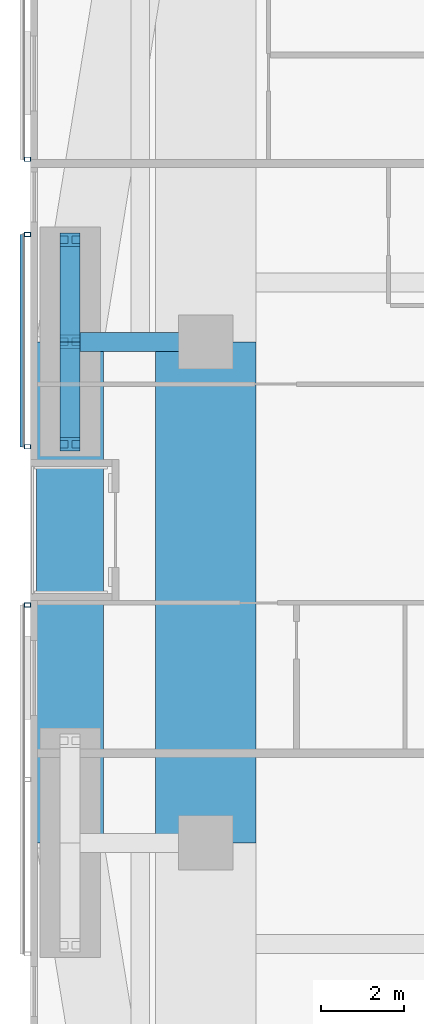
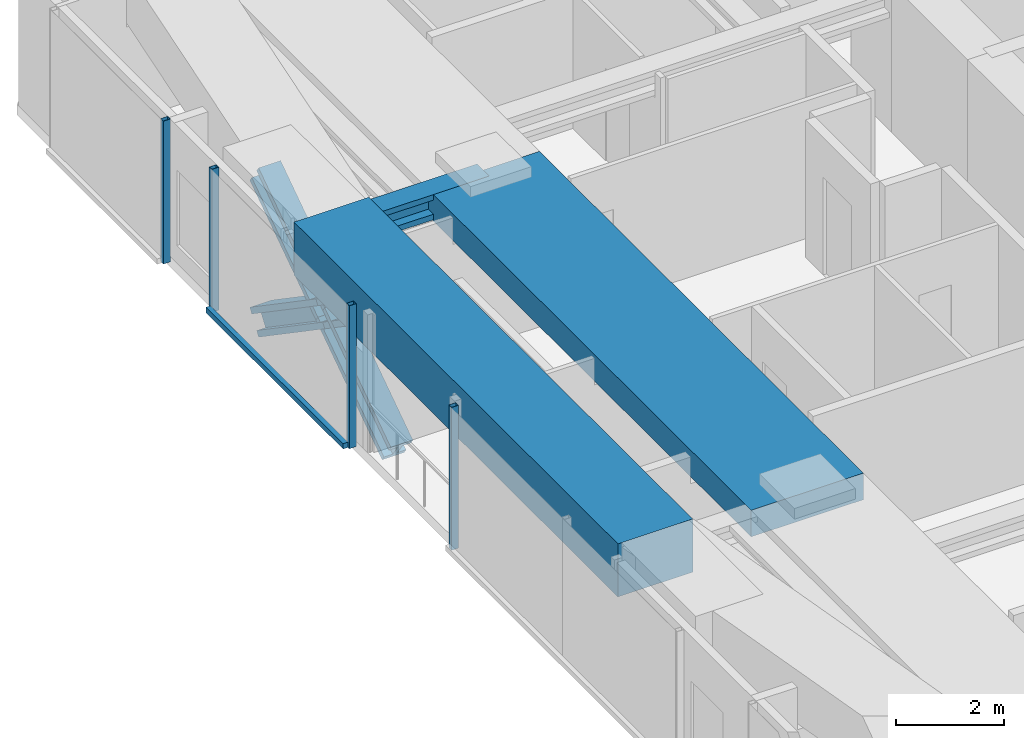
# One storey, part 6 of 24: 9 members, 3 beams, 3 elements without a shape of their own.
"""IFC4 building model written with IfcOpenShell, lengths in metres."""

import ifcopenshell
import ifcopenshell.guid

model = None  # the IFC model being written
_history = None  # IfcOwnerHistory: only IFC2X3 demands one
_inside = {}  # id of a spatial element -> (the spatial element, [elements in it])
_under = {}  # id of a project, library or spatial element -> (it, [spatial elements below it])
_declared = {}  # id of a project -> (the project, [libraries it declares])
_typed = {}  # id of a type object -> (the type object, [elements of that type])
_made_of = {}  # id of a material, layer set ... -> (it, [elements and type objects made of it])


def new_model(schema):
    """Start an empty IFC model of exactly this schema.

    Asked for "IFC4X3", IfcOpenShell would pick the latest addendum, in which some entities
    have other attributes; the version numbers below select the first issue.
    IFC2X3 requires an IfcOwnerHistory on every rooted entity: one is made here for all.
    """
    global model, _history
    if schema == "IFC4X3":
        model = ifcopenshell.file(schema_version=(4, 3, 0, 0))
    else:
        model = ifcopenshell.file(schema=schema)
    _inside.clear()
    _under.clear()
    _declared.clear()
    _typed.clear()
    _made_of.clear()
    _history = None
    if model.schema == "IFC2X3":
        org = make("IfcOrganization", Name="unknown")
        user = make(
            "IfcPersonAndOrganization",
            ThePerson=make("IfcPerson", FamilyName="unknown"),
            TheOrganization=org,
        )
        app = make(
            "IfcApplication",
            ApplicationDeveloper=org,
            Version="unknown",
            ApplicationFullName="unknown",
            ApplicationIdentifier="unknown",
        )
        _history = make(
            "IfcOwnerHistory",
            OwningUser=user,
            OwningApplication=app,
            ChangeAction="ADDED",
            CreationDate=0,
        )
    return model


def make(cls, **values):
    """One entity of the class cls with the attributes given. An attribute that is None is left unset."""
    return model.create_entity(
        cls, **{name: value for name, value in values.items() if value is not None}
    )


def rooted(cls, **values):
    """An entity with a GlobalId (a new one), such as an element, a storey or a relation."""
    return make(cls, GlobalId=ifcopenshell.guid.new(), OwnerHistory=_history, **values)


def si_unit(unit_type, name, prefix=None):
    """IfcSIUnit, for example si_unit("LENGTHUNIT", "METRE", prefix="MILLI")."""
    return make("IfcSIUnit", UnitType=unit_type, Prefix=prefix, Name=name)


def assignment(units):
    """IfcUnitAssignment: the units of a project."""
    return None if units is None else make("IfcUnitAssignment", Units=units)


def point(xyz):
    """IfcCartesianPoint."""
    return None if xyz is None else make("IfcCartesianPoint", Coordinates=xyz)


def direction(xyz):
    """IfcDirection."""
    return None if xyz is None else make("IfcDirection", DirectionRatios=xyz)


def frame(location, z_axis=None, x_axis=None):
    """IfcAxis2Placement3D, a coordinate frame: its origin and axes. An axis left out is left unset."""
    return make(
        "IfcAxis2Placement3D",
        Location=point(location),
        Axis=direction(z_axis),
        RefDirection=direction(x_axis),
    )


def frame_2d(location, x_axis=None):
    """IfcAxis2Placement2D, a coordinate frame in the plane: its origin and x axis."""
    return make(
        "IfcAxis2Placement2D", Location=point(location), RefDirection=direction(x_axis)
    )


def origin():
    """The frame at (0, 0, 0) with its axes left unset."""
    return frame((0.0, 0.0, 0.0))


def origin_2d():
    """The frame at (0, 0) in the plane with its x axis left unset."""
    return frame_2d((0.0, 0.0))


def place(relative_to, where):
    """IfcLocalPlacement: puts the frame where relative to a parent placement (None: the world)."""
    return make(
        "IfcLocalPlacement", PlacementRelTo=relative_to, RelativePlacement=where
    )


def context(
    kind, dimensions, precision=None, world=None, true_north=None, identifier=None
):
    """IfcGeometricRepresentationContext, for example the 3D "Model" context."""
    return make(
        "IfcGeometricRepresentationContext",
        ContextIdentifier=identifier,
        ContextType=kind,
        CoordinateSpaceDimension=dimensions,
        Precision=precision,
        WorldCoordinateSystem=world,
        TrueNorth=true_north,
    )


def subcontext(parent, identifier, kind, view, scale=None):
    """IfcGeometricRepresentationSubContext, for example "Body" below "Model"."""
    return make(
        "IfcGeometricRepresentationSubContext",
        ContextIdentifier=identifier,
        ContextType=kind,
        ParentContext=parent,
        TargetScale=scale,
        TargetView=view,
    )


def project(units=None, contexts=None):
    """IfcProject with its units and contexts."""
    return rooted(
        "IfcProject",
        Name="project",
        RepresentationContexts=contexts,
        UnitsInContext=assignment(units),
    )


def spatial(cls, under=None, at=None, **own):
    """A site, building, storey or space (cls), placed at a placement, below another one or the project."""
    s = rooted(cls, ObjectPlacement=at, **own)
    if under is not None:
        _under.setdefault(under.id(), (under, []))[1].append(s)
    return s


def profile(cls, at=None, kind="AREA", **sizes):
    """A parametric profile (cls). Its sizes go by their IFC names, for example OverallWidth=200.0."""
    return make(cls, ProfileType=kind, Position=at, **sizes)


def rectangle(**sizes):
    """IfcRectangleProfileDef."""
    return profile("IfcRectangleProfileDef", **sizes)


def hollow_rectangle(**sizes):
    """IfcRectangleHollowProfileDef."""
    return profile("IfcRectangleHollowProfileDef", **sizes)


def i_section(**sizes):
    """IfcIShapeProfileDef."""
    return profile("IfcIShapeProfileDef", **sizes)


def extrude(swept, where, along, depth):
    """IfcExtrudedAreaSolid: the profile swept, set in the frame where, extruded along a direction by depth."""
    return make(
        "IfcExtrudedAreaSolid",
        SweptArea=swept,
        Position=where,
        ExtrudedDirection=direction(along),
        Depth=depth,
    )


def shape(context_of_items, identifier, shape_type, items):
    """IfcShapeRepresentation: the items that make up one representation, for example the "Body"."""
    return make(
        "IfcShapeRepresentation",
        ContextOfItems=context_of_items,
        RepresentationIdentifier=identifier,
        RepresentationType=shape_type,
        Items=items,
    )


def material(Name=None, Category=None):
    """IfcMaterial."""
    return make("IfcMaterial", Name=Name, Category=Category)


def material_profile(
    of_material, cross_section, Name=None, Category=None, Priority=None
):
    """IfcMaterialProfile: a cross section and its material."""
    return make(
        "IfcMaterialProfile",
        Name=Name,
        Material=of_material,
        Profile=cross_section,
        Priority=Priority,
        Category=Category,
    )


def profile_set(profiles, Name=None, composite=None):
    """IfcMaterialProfileSet."""
    return make(
        "IfcMaterialProfileSet",
        Name=Name,
        MaterialProfiles=profiles,
        CompositeProfile=composite,
    )


def made_of(thing, what):
    """Note that an element or type object is made of a material, layer set ...; save() writes the relation."""
    if what is not None:
        _made_of.setdefault(what.id(), (what, []))[1].append(thing)
    return thing


def type_object(cls, material=None, **own):
    """A type object (cls), such as IfcWallType, which elements share."""
    return made_of(rooted(cls, **own), material)


def element(
    cls,
    number,
    at=None,
    inside=None,
    cuts=None,
    type_object=None,
    material=None,
    context=None,
    identifier="Body",
    shape_type=None,
    held_by="IfcProductDefinitionShape",
    body=None,
    shapes=None,
    **own,
):
    """One element of the class cls, such as IfcWall. Its Tag is "e" and its number.

    at: its placement. inside: the storey or other place that contains it. cuts: it is an
    opening in that element (IfcRelVoidsElement). A single representation is given by context,
    identifier, shape_type and body (its items); several are given by shapes. held_by: the class
    of the entity that holds the representations. save() writes the other relations.
    """
    e = rooted(cls, Tag="e%d" % number, ObjectPlacement=at, **own)
    if body is not None:
        shapes = [shape(context, identifier, shape_type, body)]
    if shapes is not None:
        e.Representation = make(held_by, Representations=shapes)
    if inside is not None:
        _inside.setdefault(inside.id(), (inside, []))[1].append(e)
    if cuts is not None:
        rooted(
            "IfcRelVoidsElement", RelatingBuildingElement=cuts, RelatedOpeningElement=e
        )
    if type_object is not None:
        _typed.setdefault(type_object.id(), (type_object, []))[1].append(e)
    return made_of(e, material)


def aggregate(whole, parts):
    """IfcRelAggregates: a whole, such as a stair, and the parts it consists of."""
    return rooted("IfcRelAggregates", RelatingObject=whole, RelatedObjects=parts)


def save(model, path):
    """Write the relations noted so far, then the file.

    IfcRelAggregates (storeys below a building ...), IfcRelContainedInSpatialStructure (elements
    in a storey), IfcRelDefinesByType, IfcRelAssociatesMaterial and IfcRelDeclares: one each for
    every whole, place, type object, material and project.
    """
    for whole, parts in _under.values():
        aggregate(whole, parts)
    for where, things in _inside.values():
        rooted(
            "IfcRelContainedInSpatialStructure",
            RelatedElements=things,
            RelatingStructure=where,
        )
    for kind, things in _typed.values():
        rooted("IfcRelDefinesByType", RelatedObjects=things, RelatingType=kind)
    for what, things in _made_of.values():
        rooted("IfcRelAssociatesMaterial", RelatedObjects=things, RelatingMaterial=what)
    for by, libraries in _declared.values():
        rooted("IfcRelDeclares", RelatingContext=by, RelatedDefinitions=libraries)
    model.write(path)


model = new_model("IFC4")

# Units and contexts
model_context = context("Model", 3, precision=1e-05, world=origin(), true_north=direction((0.0, 1.0)))
body_context = subcontext(model_context, "Body", "Model", "MODEL_VIEW")
ifc_project = project(units=[si_unit("LENGTHUNIT", "METRE"), si_unit("AREAUNIT", "SQUARE_METRE"), si_unit("VOLUMEUNIT", "CUBIC_METRE"), si_unit("PLANEANGLEUNIT", "RADIAN"), si_unit("MASSUNIT", "GRAM", prefix="KILO")], contexts=[model_context])

# Site, building, storey
site_placement = place(None, origin())
site = spatial("IfcSite", under=ifc_project, at=site_placement, CompositionType="ELEMENT")
building_placement = place(site_placement, origin())
building = spatial("IfcBuilding", under=site, at=building_placement, Name="Jalousie Tower", CompositionType="ELEMENT")
storey_placement = place(building_placement, frame((0.0, 0.0, 124.949951171875)))
storey = spatial("IfcBuildingStorey", under=building, at=storey_placement, Name="L34", CompositionType="ELEMENT", Elevation=124.949951171875)

# Beam
ifc_material_1 = material(Name="Steel ASTM A992 Grade 50", Category="steel")
ifc_material_profile_1 = material_profile(ifc_material_1, i_section(OverallWidth=0.45458984375, OverallDepth=0.569091796875, WebThickness=0.077880859375, FlangeThickness=0.124755859375, at=origin_2d()), Name="W14X730")
ifc_profile_set_1 = profile_set([ifc_material_profile_1], Name="Steel ASTM A992 Grade 50")
beam_type_1 = type_object("IfcBeamType", Name="LEAN COLLECTOR W14X730", PredefinedType="BEAM", material=ifc_profile_set_1)
beam_1_placement = place(storey_placement, frame((6.949951171875, 25.0, 2.825439453125), z_axis=(1.0, 0.0, 0.0), x_axis=(0.0, 1.0, 0.0)))
element("IfcBeam", 1, at=beam_1_placement, inside=storey, type_object=beam_type_1, Name="Lean collector under L35", PredefinedType="BEAM", context=body_context, shape_type="SweptSolid", body=[
    extrude(i_section(OverallWidth=0.45458984375, OverallDepth=0.569091796875, WebThickness=0.077880859375, FlangeThickness=0.124755859375, at=origin_2d()), origin(), (0.0, 0.0, 1.0), 3.25),
])

# Members
ifc_material_2 = material(Name="Steel ASTM A992 Grade 50", Category="steel")
ifc_material_profile_2 = material_profile(ifc_material_2, i_section(OverallWidth=0.472412109375, OverallDepth=0.5791015625, WebThickness=0.094970703125, FlangeThickness=0.1298828125, at=origin_2d()), Name="W14X808")
ifc_profile_set_2 = profile_set([ifc_material_profile_2], Name="Steel ASTM A992 Grade 50")
member_type_1 = type_object("IfcMemberType", Name="PERIMETER BRACE W14X808", PredefinedType="BRACE", material=ifc_profile_set_2)
for number, where, z_axis, x_axis, name in (
    (2, (6.949951171875, 22.550048828125, -0.599853515625), (0.0, 0.825539243753, 0.564344714713), (-1.0, 0.0, 0.0), "Perimeter brace 13 L34 part 1"),
    (3, (6.949951171875, 25.0, 1.074951171875), (0.0, 0.825500916831, 0.564400776321), (-1.0, 0.0, 0.0), "Perimeter brace 13 L34 part 2"),
    (4, (6.949951171875, 27.449951171875, -0.599853515625), (0.0, -0.825539243753, 0.564344714713), (1.0, 0.0, 0.0), "Perimeter brace 13 L34 part 3"),
    (5, (6.949951171875, 25.0, 1.074951171875), (0.0, -0.825500916831, 0.564400776321), (1.0, 0.0, 0.0), "Perimeter brace 13 L34 part 4"),
):
    element("IfcMember", number, at=place(storey_placement, frame(where, z_axis=z_axis, x_axis=x_axis)), inside=storey, type_object=member_type_1, Name=name, PredefinedType="BRACE", context=body_context, shape_type="SweptSolid", body=[
        extrude(i_section(OverallWidth=0.472412109375, OverallDepth=0.5791015625, WebThickness=0.094970703125, FlangeThickness=0.1298828125, at=origin_2d()), origin(), (0.0, 0.0, 1.0), 2.9677734375),
    ])

# Beams
ifc_material_3 = material(Name="Concrete f'c 40 MPa", Category="concrete")
ifc_material_profile_3 = material_profile(ifc_material_3, rectangle(XDim=1.60009765625, YDim=1.199951171875, at=origin_2d()), Name="RC 1600x1200")
ifc_profile_set_3 = profile_set([ifc_material_profile_3], Name="Concrete f'c 40 MPa")
beam_type_2 = type_object("IfcBeamType", Name="RC BEAM 1600x1200", PredefinedType="BEAM", material=ifc_profile_set_3)
beam_2_placement = place(storey_placement, frame((6.949951171875, 25.0, 2.75), z_axis=(0.0, -1.0, 0.0), x_axis=(1.0, 0.0, 0.0)))
element("IfcBeam", 6, at=beam_2_placement, inside=storey, type_object=beam_type_2, Name="Edge band beam 13-14 under L35", PredefinedType="BEAM", context=body_context, shape_type="SweptSolid", body=[
    extrude(rectangle(XDim=1.60009765625, YDim=1.199951171875, at=origin_2d()), origin(), (0.0, 0.0, 1.0), 12.0),
])
ifc_material_4 = material(Name="Concrete f'c 40 MPa", Category="concrete")
ifc_material_profile_4 = material_profile(ifc_material_4, rectangle(XDim=2.39990234375, YDim=0.60009765625, at=origin_2d()), Name="RC 2400x600")
ifc_profile_set_4 = profile_set([ifc_material_profile_4], Name="Concrete f'c 40 MPa")
beam_type_3 = type_object("IfcBeamType", Name="RC BEAM 2400x600", PredefinedType="BEAM", material=ifc_profile_set_4)
beam_3_placement = place(storey_placement, frame((10.199951171875, 13.0, 2.81005859375), z_axis=(0.0, 1.0, 0.0), x_axis=(-1.0, 0.0, 0.0)))
element("IfcBeam", 7, at=beam_3_placement, inside=storey, type_object=beam_type_3, Name="Floor band beam under L35", PredefinedType="BEAM", context=body_context, shape_type="SweptSolid", body=[
    extrude(rectangle(XDim=2.39990234375, YDim=0.60009765625, at=origin_2d()), origin(), (0.0, 0.0, 1.0), 12.0),
])

# Curtain wall, member
ifc_material_5 = material(Name="Perforated aluminium sheet", Category="aluminium")
curtain_wall_type = type_object("IfcCurtainWallType", Name="SOLAR SCREEN SS-1", PredefinedType="USERDEFINED", material=ifc_material_5)
curtain_wall_1_placement = place(storey_placement, origin())
curtain_wall_1 = element("IfcCurtainWall", 8, at=curtain_wall_1_placement, inside=storey, type_object=curtain_wall_type, Name="Solar screen L34", ObjectType="SOLAR SCREEN SS-1", PredefinedType="USERDEFINED")
ifc_material_6 = material(Name="Steel ASTM A500 Grade C", Category="steel")
ifc_material_profile_5 = material_profile(ifc_material_6, hollow_rectangle(XDim=0.1015625, YDim=0.15234375, WallThickness=0.00634765625, at=origin_2d()), Name="HSS6X4X1/4")
ifc_profile_set_5 = profile_set([ifc_material_profile_5], Name="Steel ASTM A500 Grade C")
member_type_2 = type_object("IfcMemberType", Name="SOLAR SCREEN SS-1 MULLION", PredefinedType="MULLION", material=ifc_profile_set_5)
member_1_placement = place(storey_placement, frame((5.9287109375, 29.375, -0.119873046875), z_axis=(0.0, 0.0, 1.0), x_axis=(0.0, -1.0, 0.0)))
member_1 = element("IfcMember", 9, at=member_1_placement, type_object=member_type_2, Name="SS1 post 2", PredefinedType="MULLION", context=body_context, shape_type="SweptSolid", body=[
    extrude(hollow_rectangle(XDim=0.1015625, YDim=0.15234375, WallThickness=0.00634765625, at=origin_2d()), origin(), (0.0, 0.0, 1.0), 3.22998046875),
])
aggregate(curtain_wall_1, [member_1])

# Curtain wall, members
curtain_wall_2_placement = place(storey_placement, origin())
curtain_wall_2 = element("IfcCurtainWall", 10, at=curtain_wall_2_placement, inside=storey, type_object=curtain_wall_type, Name="Solar screen L34", ObjectType="SOLAR SCREEN SS-1", PredefinedType="USERDEFINED")
member_2_placement = place(storey_placement, frame((5.9287109375, 27.574951171875, -0.119873046875), z_axis=(0.0, 0.0, 1.0), x_axis=(0.0, -1.0, 0.0)))
member_2 = element("IfcMember", 11, at=member_2_placement, type_object=member_type_2, Name="SS1 post 1", PredefinedType="MULLION", context=body_context, shape_type="SweptSolid", body=[
    extrude(hollow_rectangle(XDim=0.1015625, YDim=0.15234375, WallThickness=0.00634765625, at=origin_2d()), origin(), (0.0, 0.0, 1.0), 3.22998046875),
])
member_3_placement = place(storey_placement, frame((5.9287109375, 22.487548828125, -0.119873046875), z_axis=(0.0, 0.0, 1.0), x_axis=(0.0, -1.0, 0.0)))
member_3 = element("IfcMember", 12, at=member_3_placement, type_object=member_type_2, Name="SS1 post 2", PredefinedType="MULLION", context=body_context, shape_type="SweptSolid", body=[
    extrude(hollow_rectangle(XDim=0.1015625, YDim=0.15234375, WallThickness=0.00634765625, at=origin_2d()), origin(), (0.0, 0.0, 1.0), 3.22998046875),
])

# Curtain wall, member
curtain_wall_3_placement = place(storey_placement, origin())
curtain_wall_3 = element("IfcCurtainWall", 13, at=curtain_wall_3_placement, inside=storey, type_object=curtain_wall_type, Name="Solar screen L34", ObjectType="SOLAR SCREEN SS-1", PredefinedType="USERDEFINED")
member_4_placement = place(storey_placement, frame((5.9287109375, 18.699951171875, -0.119873046875), z_axis=(0.0, 0.0, 1.0), x_axis=(0.0, -1.0, 0.0)))
member_4 = element("IfcMember", 14, at=member_4_placement, type_object=member_type_2, Name="SS1 post 1", PredefinedType="MULLION", context=body_context, shape_type="SweptSolid", body=[
    extrude(hollow_rectangle(XDim=0.1015625, YDim=0.15234375, WallThickness=0.00634765625, at=origin_2d()), origin(), (0.0, 0.0, 1.0), 3.22998046875),
])
aggregate(curtain_wall_3, [member_4])

# Member
ifc_material_7 = material(Name="Extruded aluminium screen rail", Category="aluminium")
ifc_material_profile_6 = material_profile(ifc_material_7, rectangle(XDim=0.1015625, YDim=0.1201171875, at=origin_2d()), Name="RAIL 102x120")
ifc_profile_set_6 = profile_set([ifc_material_profile_6], Name="Extruded aluminium screen rail")
member_type_3 = type_object("IfcMemberType", Name="SOLAR SCREEN SS-1 TRANSOM", PredefinedType="USERDEFINED", material=ifc_profile_set_6)
member_5_placement = place(storey_placement, frame((5.8017578125, 27.574951171875, -0.06005859375), z_axis=(0.0, -1.0, 0.0), x_axis=(1.0, 0.0, 0.0)))
member_5 = element("IfcMember", 15, at=member_5_placement, type_object=member_type_3, Name="SS1 rail", ObjectType="TRANSOM", PredefinedType="USERDEFINED", context=body_context, shape_type="SweptSolid", body=[
    extrude(rectangle(XDim=0.1015625, YDim=0.1201171875, at=origin_2d()), origin(), (0.0, 0.0, 1.0), 5.08740234375),
])

aggregate(curtain_wall_2, [member_2, member_3, member_5])

save(model, "model.ifc")
